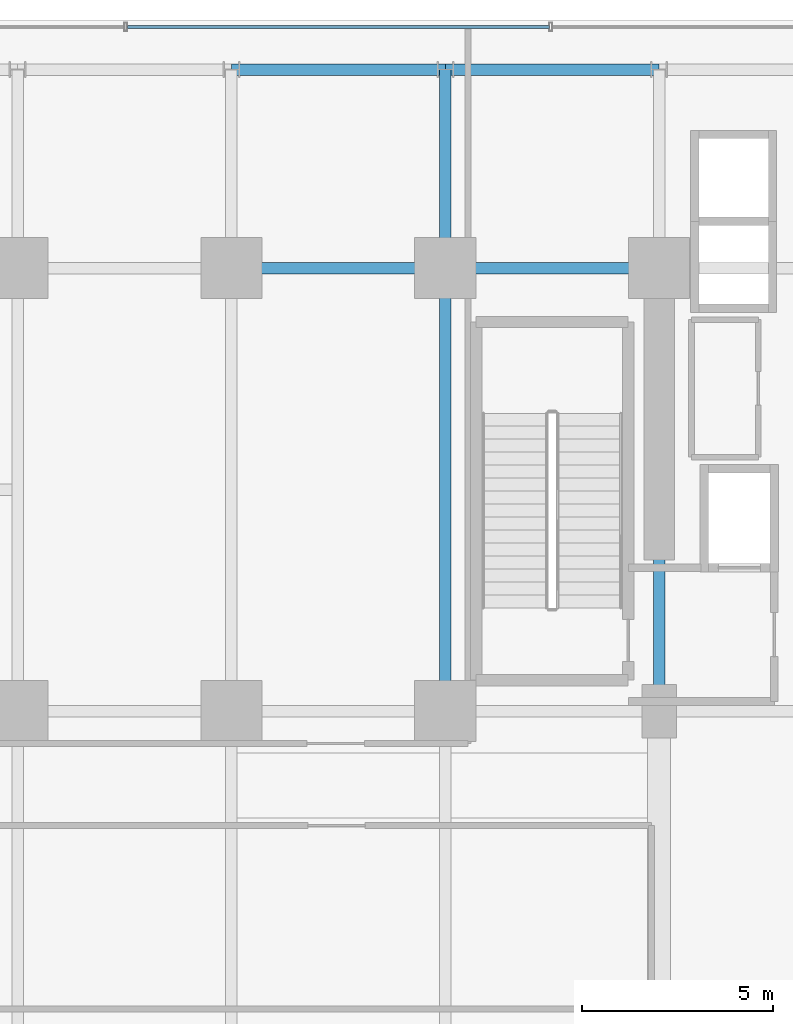
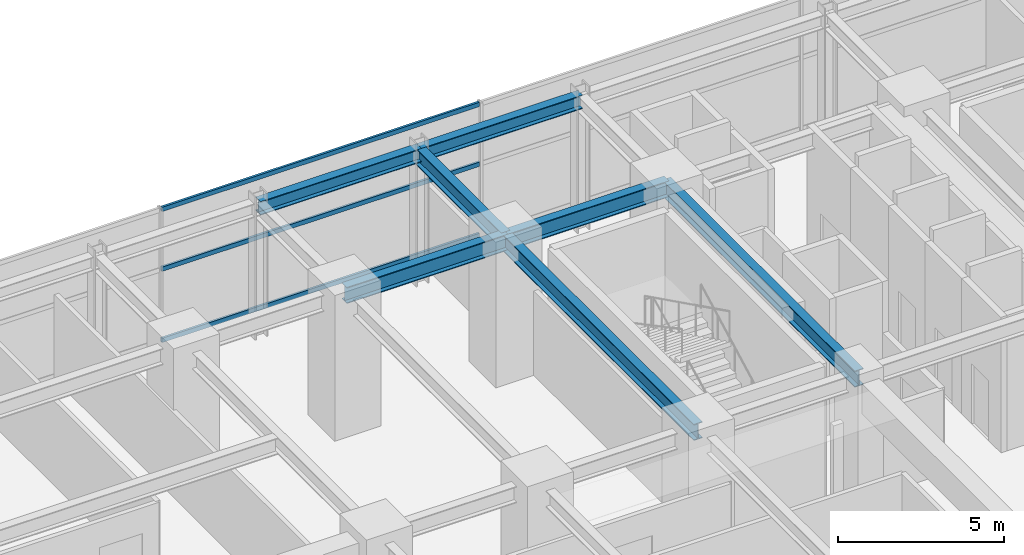
# One storey, part 19 of 35: 7 beams, 3 members, 1 element without a shape of its own.
"""IFC4 building model written with IfcOpenShell, lengths in metres."""

from ifc_helpers import new_model, si_unit, direction, frame, origin, origin_2d, place, context, subcontext, project, spatial, hollow_rectangle, i_section, extrude, source, transform, mapped, material, material_profile, profile_set, type_object, element, aggregate, save


model = new_model("IFC4")

# Units and contexts
model_context = context("Model", 3, precision=1e-05, world=origin(), true_north=direction((0.0, 1.0)))
body_context = subcontext(model_context, "Body", "Model", "MODEL_VIEW")
ifc_project = project(units=[si_unit("LENGTHUNIT", "METRE"), si_unit("AREAUNIT", "SQUARE_METRE"), si_unit("VOLUMEUNIT", "CUBIC_METRE"), si_unit("PLANEANGLEUNIT", "RADIAN"), si_unit("MASSUNIT", "GRAM", prefix="KILO")], contexts=[model_context])

# Site, building, storey
site_placement = place(None, origin())
site = spatial("IfcSite", under=ifc_project, at=site_placement, CompositionType="ELEMENT")
building_placement = place(site_placement, origin())
building = spatial("IfcBuilding", under=site, at=building_placement, Name="Nahalor Promenade Grand Hotel", CompositionType="ELEMENT")
storey_placement = place(building_placement, frame((0.0, 0.0, 21.60009765625)))
storey = spatial("IfcBuildingStorey", under=building, at=storey_placement, Name="L04", CompositionType="ELEMENT", Elevation=21.60009765625)

# Beams
ifc_material_1 = material(Name="Steel S355JR", Category="steel")
ifc_material_profile_1 = material_profile(ifc_material_1, i_section(OverallWidth=0.3, OverallDepth=0.6, WebThickness=0.0155, FlangeThickness=0.03, at=origin_2d()), Name="HEB 600")
ifc_profile_set_1 = profile_set([ifc_material_profile_1], Name="Steel S355JR")
beam_type_1 = type_object("IfcBeamType", Name="Beam-Girder-HEB600", PredefinedType="BEAM", material=ifc_profile_set_1)
shared_shape_1 = source(origin(), body_context, "Body", "SweptSolid", [
    extrude(i_section(OverallWidth=0.3, OverallDepth=0.6, WebThickness=0.0155, FlangeThickness=0.03, at=origin_2d()), origin(), (0.0, 0.0, 1.0), 5.599853515625),
])
beam_1_placement = place(storey_placement, frame((2.800048828125, 17.0, 4.679931640625), z_axis=(1.0, 0.0, 0.0), x_axis=(0.0, 1.0, 0.0)))
element("IfcBeam", 1, at=beam_1_placement, inside=storey, type_object=beam_type_1, Name="BM-L04-GX-3-5", PredefinedType="BEAM", context=body_context, shape_type="MappedRepresentation", body=[
    mapped(shared_shape_1, transform((0.0, 0.0, 0.0), scale=1.0)),
])
shared_shape_2 = source(origin(), body_context, "Body", "SweptSolid", [
    extrude(i_section(OverallWidth=0.3, OverallDepth=0.6, WebThickness=0.0155, FlangeThickness=0.03, at=origin_2d()), origin(), (0.0, 0.0, 1.0), 5.60009765625),
])
beam_2_placement = place(storey_placement, frame((-2.800048828125, 17.0, 4.679931640625), z_axis=(1.0, 0.0, 0.0), x_axis=(0.0, 1.0, 0.0)))
element("IfcBeam", 2, at=beam_2_placement, inside=storey, type_object=beam_type_1, Name="BM-L04-GX-3-4", PredefinedType="BEAM", context=body_context, shape_type="MappedRepresentation", body=[
    mapped(shared_shape_2, transform((0.0, 0.0, 0.0), scale=1.0)),
])
shared_shape_3 = source(origin(), body_context, "Body", "SweptSolid", [
    extrude(i_section(OverallWidth=0.3, OverallDepth=0.6, WebThickness=0.0155, FlangeThickness=0.03, at=origin_2d()), origin(), (0.0, 0.0, 1.0), 5.199951171875),
])
beam_3_placement = place(storey_placement, frame((2.800048828125, 17.0, 4.679931640625), z_axis=(0.0, 1.0, 0.0), x_axis=(-1.0, 0.0, 0.0)))
element("IfcBeam", 3, at=beam_3_placement, inside=storey, type_object=beam_type_1, Name="BM-L04-GY-3-4", PredefinedType="BEAM", context=body_context, shape_type="MappedRepresentation", body=[
    mapped(shared_shape_3, transform((0.0, 0.0, 0.0), scale=1.0)),
])
shared_shape_4 = source(origin(), body_context, "Body", "SweptSolid", [
    extrude(i_section(OverallWidth=0.3, OverallDepth=0.6, WebThickness=0.0155, FlangeThickness=0.03, at=origin_2d()), origin(), (0.0, 0.0, 1.0), 11.60009765625),
])
for number, where, z_axis, x_axis, name in (
    (4, (2.800048828125, 5.39990234375, 4.679931640625), (0.0, 1.0, 0.0), (-1.0, 0.0, 0.0), "BM-L04-GY-3-3"),
    (5, (8.39990234375, 5.39990234375, 4.679931640625), (0.0, 1.0, 0.0), (-1.0, 0.0, 0.0), "BM-L04-GY-4-3"),
):
    element("IfcBeam", number, at=place(storey_placement, frame(where, z_axis=z_axis, x_axis=x_axis)), inside=storey, type_object=beam_type_1, Name=name, PredefinedType="BEAM", context=body_context, shape_type="MappedRepresentation", body=[
        mapped(shared_shape_4, transform((0.0, 0.0, 0.0), scale=1.0)),
    ])
ifc_material_profile_2 = material_profile(ifc_material_1, i_section(OverallWidth=0.3, OverallDepth=0.5, WebThickness=0.0145, FlangeThickness=0.028, at=origin_2d()), Name="HEB 500")
ifc_profile_set_2 = profile_set([ifc_material_profile_2], Name="Steel S355JR")
beam_type_2 = type_object("IfcBeamType", Name="Beam-Spandrel-HEB500", PredefinedType="SPANDREL", material=ifc_profile_set_2)
shared_shape_5 = source(origin(), body_context, "Body", "SweptSolid", [
    extrude(i_section(OverallWidth=0.3, OverallDepth=0.5, WebThickness=0.0145, FlangeThickness=0.028, at=origin_2d()), origin(), (0.0, 0.0, 1.0), 5.599853515625),
])
beam_4_placement = place(storey_placement, frame((2.800048828125, 22.199951171875, 4.72998046875), z_axis=(1.0, 0.0, 0.0), x_axis=(0.0, 1.0, 0.0)))
element("IfcBeam", 6, at=beam_4_placement, inside=storey, type_object=beam_type_2, Name="BM-L04-SP-N-3", PredefinedType="SPANDREL", context=body_context, shape_type="MappedRepresentation", body=[
    mapped(shared_shape_5, transform((0.0, 0.0, 0.0), scale=1.0)),
])
shared_shape_6 = source(origin(), body_context, "Body", "SweptSolid", [
    extrude(i_section(OverallWidth=0.3, OverallDepth=0.5, WebThickness=0.0145, FlangeThickness=0.028, at=origin_2d()), origin(), (0.0, 0.0, 1.0), 5.60009765625),
])
beam_5_placement = place(storey_placement, frame((-2.800048828125, 22.199951171875, 4.72998046875), z_axis=(1.0, 0.0, 0.0), x_axis=(0.0, 1.0, 0.0)))
element("IfcBeam", 7, at=beam_5_placement, inside=storey, type_object=beam_type_2, Name="BM-L04-SP-N-2", PredefinedType="SPANDREL", context=body_context, shape_type="MappedRepresentation", body=[
    mapped(shared_shape_6, transform((0.0, 0.0, 0.0), scale=1.0)),
])

# Curtain wall, members
ifc_material_2 = material(Name="Anodised Bronze Aluminium EN AW-6063 T6", Category="aluminium")
curtain_wall_type = type_object("IfcCurtainWallType", Name="CW1 Waterfront Podium Bronze Arcade Curtain Wall", PredefinedType="USERDEFINED", material=ifc_material_2)
curtain_wall_placement = place(storey_placement, origin())
curtain_wall = element("IfcCurtainWall", 8, at=curtain_wall_placement, inside=storey, type_object=curtain_wall_type, Name="L04 Curtain Wall CW-L04-N", ObjectType="UNITISED_CURTAIN_WALL", PredefinedType="USERDEFINED")
ifc_material_profile_3 = material_profile(ifc_material_2, hollow_rectangle(XDim=0.08, YDim=0.16, WallThickness=0.004, at=origin_2d()), Name="CWT 80x160x4")
ifc_profile_set_3 = profile_set([ifc_material_profile_3], Name="Anodised Bronze Aluminium EN AW-6063 T6")
member_type = type_object("IfcMemberType", Name="CWT1 Podium Bronze Transom 80x160", PredefinedType="USERDEFINED", material=ifc_profile_set_3)
shared_shape_7 = source(origin(), body_context, "Body", "SweptSolid", [
    extrude(hollow_rectangle(XDim=0.08, YDim=0.16, WallThickness=0.004, at=origin_2d()), origin(), (0.0, 0.0, 1.0), 11.0478515625),
])
member_1_placement = place(storey_placement, frame((-5.52392578125, 23.320068359375, 0.079833984375), z_axis=(1.0, 0.0, 0.0), x_axis=(0.0, 1.0, 0.0)))
member_1 = element("IfcMember", 9, at=member_1_placement, type_object=member_type, Name="CW-L04-N Transom 2-0", ObjectType="TRANSOM", PredefinedType="USERDEFINED", context=body_context, shape_type="MappedRepresentation", body=[
    mapped(shared_shape_7, transform((0.0, 0.0, 0.0), scale=1.0)),
])
member_2_placement = place(storey_placement, frame((-5.52392578125, 23.320068359375, 2.699951171875), z_axis=(1.0, 0.0, 0.0), x_axis=(0.0, 1.0, 0.0)))
member_2 = element("IfcMember", 10, at=member_2_placement, type_object=member_type, Name="CW-L04-N Transom 2-1", ObjectType="TRANSOM", PredefinedType="USERDEFINED", context=body_context, shape_type="MappedRepresentation", body=[
    mapped(shared_shape_7, transform((0.0, 0.0, 0.0), scale=1.0)),
])
member_3_placement = place(storey_placement, frame((-5.52392578125, 23.320068359375, 4.89990234375), z_axis=(1.0, 0.0, 0.0), x_axis=(0.0, 1.0, 0.0)))
member_3 = element("IfcMember", 11, at=member_3_placement, type_object=member_type, Name="CW-L04-N Transom 2-2", ObjectType="TRANSOM", PredefinedType="USERDEFINED", context=body_context, shape_type="MappedRepresentation", body=[
    mapped(shared_shape_7, transform((0.0, 0.0, 0.0), scale=1.0)),
])
aggregate(curtain_wall, [member_1, member_2, member_3])

save(model, "model.ifc")
